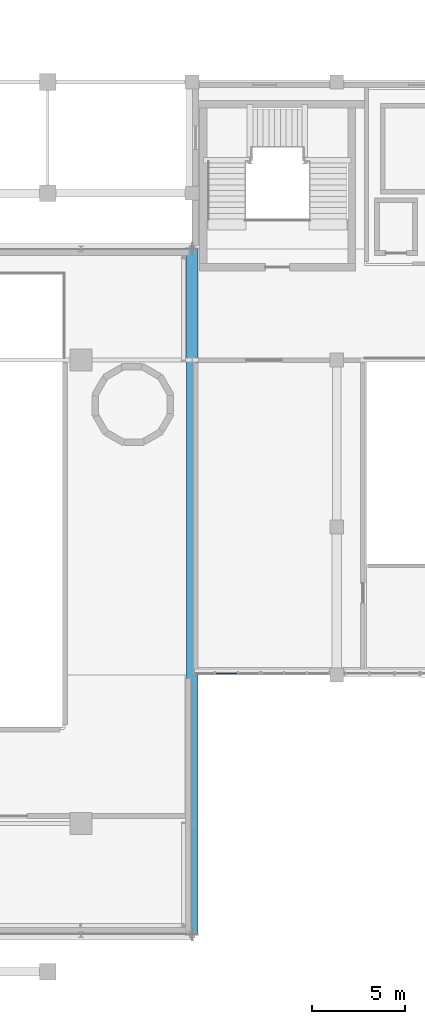
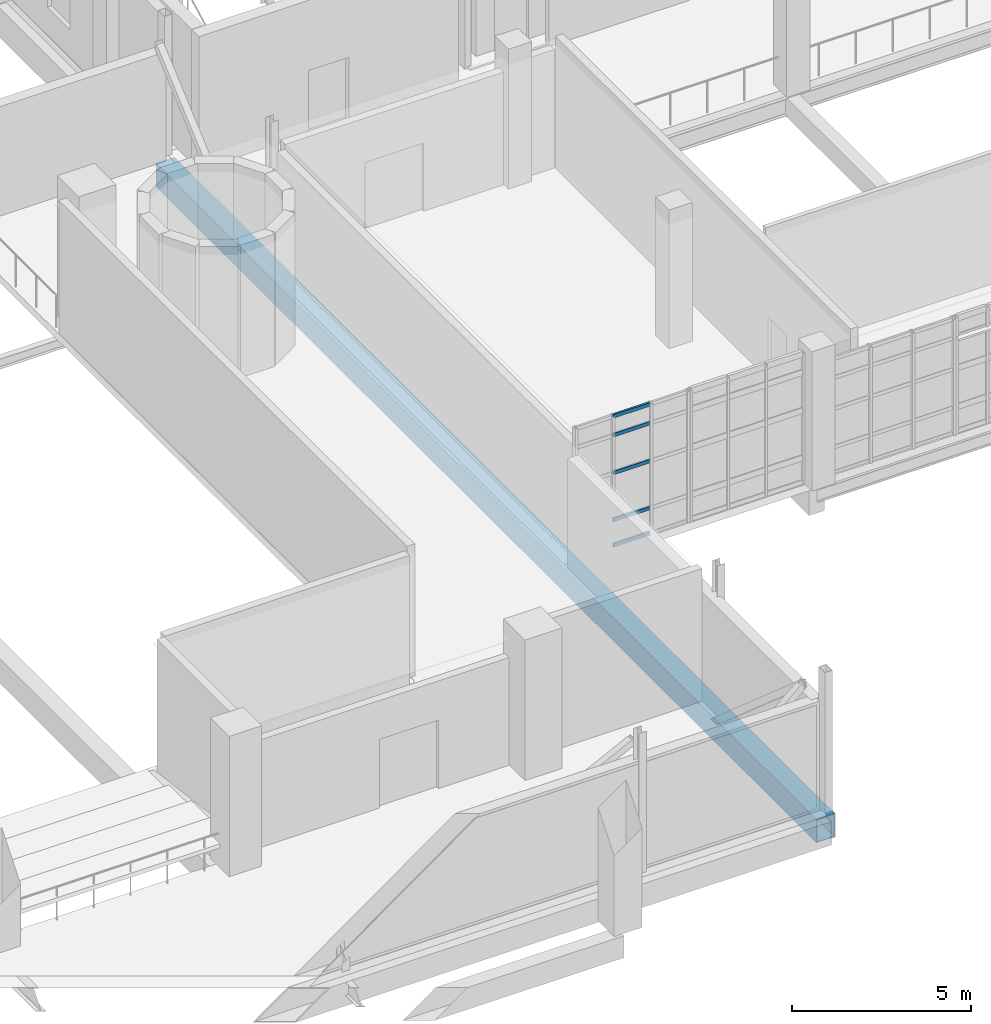
# One storey, part 40 of 102: 5 members, 1 beam, 1 element without a shape of its own.
"""IFC4 building model written with IfcOpenShell, lengths in metres."""

from ifc_helpers import new_model, si_unit, derived_unit, direction, frame, origin, origin_2d, place, context, subcontext, project, spatial, hollow_rectangle, extrude, material, layer, layer_set, material_profile, profile_set, type_object, element, aggregate, save


model = new_model("IFC4")

# Units and contexts
model_context = context("Model", 3, precision=1e-05, world=origin(), true_north=direction((0.0, 1.0)))
body_context = subcontext(model_context, "Body", "Model", "MODEL_VIEW")
ifc_project = project(units=[si_unit("LENGTHUNIT", "METRE"), si_unit("AREAUNIT", "SQUARE_METRE"), si_unit("VOLUMEUNIT", "CUBIC_METRE"), si_unit("PLANEANGLEUNIT", "RADIAN"), si_unit("MASSUNIT", "GRAM", prefix="KILO"), derived_unit("THERMALTRANSMITTANCEUNIT", [(si_unit("POWERUNIT", "WATT"), 1), (si_unit("LENGTHUNIT", "METRE"), -2), (si_unit("THERMODYNAMICTEMPERATUREUNIT", "KELVIN"), -1)])], contexts=[model_context])

# Site, building, storey
site_placement = place(None, origin())
site = spatial("IfcSite", under=ifc_project, at=site_placement, CompositionType="ELEMENT")
building_placement = place(site_placement, origin())
building = spatial("IfcBuilding", under=site, at=building_placement, Name="Nallur Shell Playhouse", CompositionType="ELEMENT")
storey_placement = place(building_placement, frame((0.0, 0.0, 15.0)))
storey = spatial("IfcBuildingStorey", under=building, at=storey_placement, Name="L04", CompositionType="ELEMENT", Elevation=15.0)

# Beam
ifc_material_1 = material(Name="Steel E350", Category="steel")
ifc_material_profile_1 = material_profile(ifc_material_1, hollow_rectangle(XDim=0.60009765625, YDim=0.800048828125, WallThickness=0.02490234375, at=origin_2d()), Name="BOX 600x800x25")
ifc_profile_set_1 = profile_set([ifc_material_profile_1], Name="Steel E350")
beam_type = type_object("IfcBeamType", Name="BM-TT-CHORD", PredefinedType="BEAM", material=ifc_profile_set_1)
beam_placement = place(storey_placement, frame((118.60009765625, 10.0, -0.659912109375), z_axis=(0.0, 1.0, 0.0), x_axis=(-1.0, 0.0, 0.0)))
element("IfcBeam", 1, at=beam_placement, inside=storey, type_object=beam_type, Name="Gold box perimeter chord L04-E1", PredefinedType="BEAM", context=body_context, shape_type="SweptSolid", body=[
    extrude(hollow_rectangle(XDim=0.60009765625, YDim=0.800048828125, WallThickness=0.02490234375, at=origin_2d()), origin(), (0.0, 0.0, 1.0), 37.0),
])

# Curtain wall, members
ifc_material_2 = material(Name="Anodised Aluminium Double-Glazed Facade System", Category="aluminium")
ifc_layer = layer(ifc_material_2, 0.172119140625)
ifc_layer_set = layer_set([ifc_layer], Name="Anodised Aluminium Double-Glazed Facade System")
curtain_wall_type = type_object("IfcCurtainWallType", Name="CW-UNIT-03", PredefinedType="NOTDEFINED", material=ifc_layer_set)
curtain_wall_placement = place(storey_placement, origin())
curtain_wall = element("IfcCurtainWall", 2, at=curtain_wall_placement, inside=storey, type_object=curtain_wall_type, Name="Unitised curtain wall CW-131 (L04)", PredefinedType="NOTDEFINED")
ifc_material_3 = material(Name="Aluminium Alloy 6063-T6 Transom", Category="aluminium")
ifc_material_profile_2 = material_profile(ifc_material_3, hollow_rectangle(XDim=0.06494140625, YDim=0.1201171875, WallThickness=0.00390625, at=origin_2d()), Name="ALU 65x120x4")
ifc_profile_set_2 = profile_set([ifc_material_profile_2], Name="Aluminium Alloy 6063-T6 Transom")
member_type = type_object("IfcMemberType", Name="MB-CW-TRN120", PredefinedType="USERDEFINED", material=ifc_profile_set_2)
member_1_placement = place(storey_placement, frame((121.037109375, 24.090087890625, 0.032470703125), z_axis=(-1.0, 0.0, 0.0), x_axis=(0.0, -1.0, 0.0)))
member_1 = element("IfcMember", 3, at=member_1_placement, type_object=member_type, Name="CW-03 transom 2.1", ObjectType="TRANSOM", PredefinedType="USERDEFINED", context=body_context, shape_type="SweptSolid", body=[
    extrude(hollow_rectangle(XDim=0.06494140625, YDim=0.1201171875, WallThickness=0.00390625, at=origin_2d()), origin(), (0.0, 0.0, 1.0), 1.170654296875),
])
member_2_placement = place(storey_placement, frame((121.037109375, 24.090087890625, 0.89990234375), z_axis=(-1.0, 0.0, 0.0), x_axis=(0.0, -1.0, 0.0)))
member_2 = element("IfcMember", 4, at=member_2_placement, type_object=member_type, Name="CW-03 transom 2.2", ObjectType="TRANSOM", PredefinedType="USERDEFINED", context=body_context, shape_type="SweptSolid", body=[
    extrude(hollow_rectangle(XDim=0.06494140625, YDim=0.1201171875, WallThickness=0.00390625, at=origin_2d()), origin(), (0.0, 0.0, 1.0), 1.170654296875),
])
member_3_placement = place(storey_placement, frame((121.037109375, 24.090087890625, 2.509033203125), z_axis=(-1.0, 0.0, 0.0), x_axis=(0.0, -1.0, 0.0)))
member_3 = element("IfcMember", 5, at=member_3_placement, type_object=member_type, Name="CW-03 transom 2.3", ObjectType="TRANSOM", PredefinedType="USERDEFINED", context=body_context, shape_type="SweptSolid", body=[
    extrude(hollow_rectangle(XDim=0.06494140625, YDim=0.1201171875, WallThickness=0.00390625, at=origin_2d()), origin(), (0.0, 0.0, 1.0), 1.170654296875),
])
member_4_placement = place(storey_placement, frame((121.037109375, 24.090087890625, 3.800048828125), z_axis=(-1.0, 0.0, 0.0), x_axis=(0.0, -1.0, 0.0)))
member_4 = element("IfcMember", 6, at=member_4_placement, type_object=member_type, Name="CW-03 transom 2.4", ObjectType="TRANSOM", PredefinedType="USERDEFINED", context=body_context, shape_type="SweptSolid", body=[
    extrude(hollow_rectangle(XDim=0.06494140625, YDim=0.1201171875, WallThickness=0.00390625, at=origin_2d()), origin(), (0.0, 0.0, 1.0), 1.170654296875),
])
member_5_placement = place(storey_placement, frame((121.037109375, 24.090087890625, 4.447509765625), z_axis=(-1.0, 0.0, 0.0), x_axis=(0.0, -1.0, 0.0)))
member_5 = element("IfcMember", 7, at=member_5_placement, type_object=member_type, Name="CW-03 transom 2.5", ObjectType="TRANSOM", PredefinedType="USERDEFINED", context=body_context, shape_type="SweptSolid", body=[
    extrude(hollow_rectangle(XDim=0.06494140625, YDim=0.1201171875, WallThickness=0.00390625, at=origin_2d()), origin(), (0.0, 0.0, 1.0), 1.170654296875),
])
aggregate(curtain_wall, [member_1, member_2, member_3, member_4, member_5])

save(model, "model.ifc")
